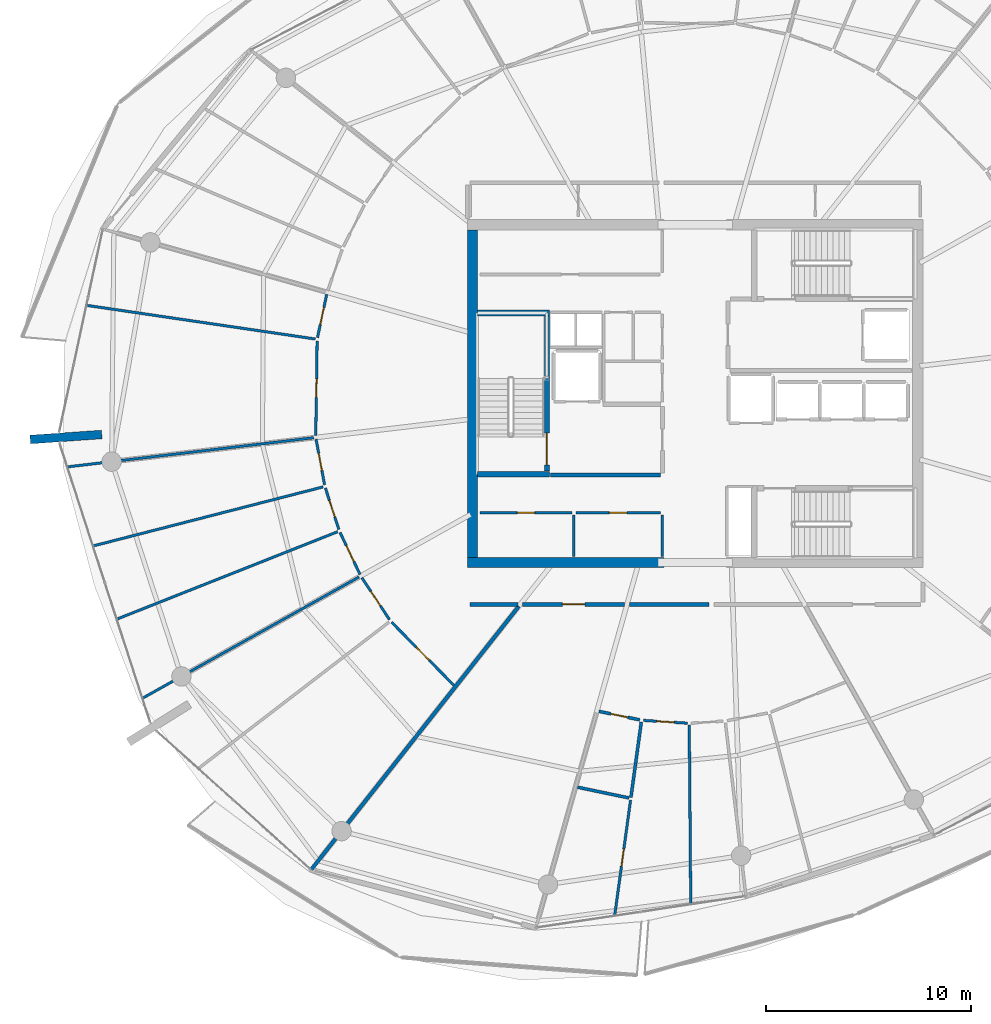
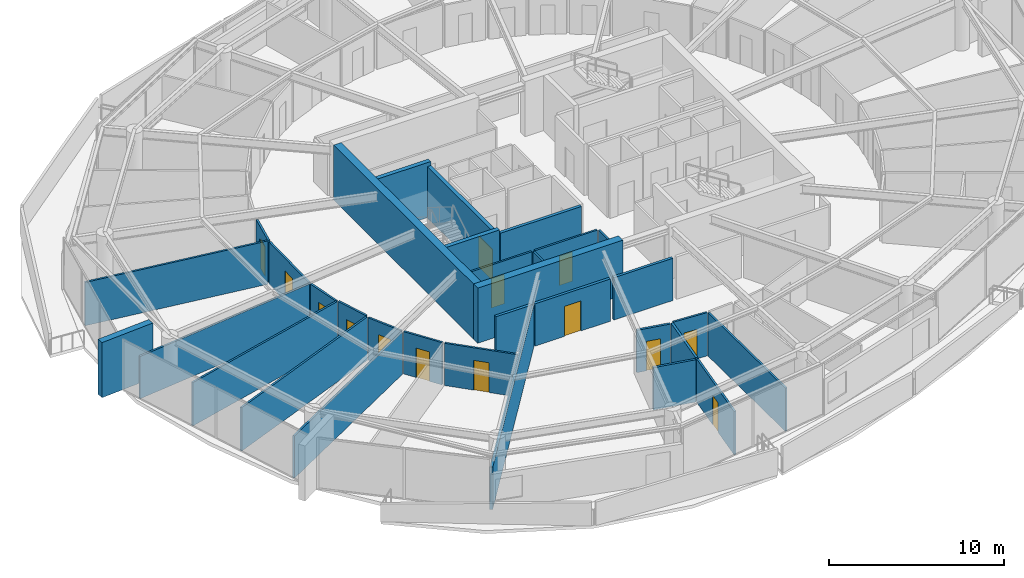
# One storey, part 18 of 30: 33 walls, 14 doors, 14 openings.
"""IFC4 building model written with IfcOpenShell, lengths in metres."""

from ifc_helpers import new_model, si_unit, direction, frame, frame_2d, origin, place, context, subcontext, project, spatial, rectangle, extrude, material, layer, layer_set, type_object, element, fill, save


model = new_model("IFC4")

# Units and contexts
model_context = context("Model", 3, precision=1e-05, world=origin(), true_north=direction((0.0, 1.0)))
body_context = subcontext(model_context, "Body", "Model", "MODEL_VIEW")
ifc_project = project(units=[si_unit("LENGTHUNIT", "METRE"), si_unit("AREAUNIT", "SQUARE_METRE"), si_unit("VOLUMEUNIT", "CUBIC_METRE"), si_unit("PLANEANGLEUNIT", "RADIAN"), si_unit("MASSUNIT", "GRAM", prefix="KILO")], contexts=[model_context])

# Site, building, storey
site_placement = place(None, origin())
site = spatial("IfcSite", under=ifc_project, at=site_placement, CompositionType="ELEMENT")
building_placement = place(site_placement, origin())
building = spatial("IfcBuilding", under=site, at=building_placement, Name="Kazma Halo Residences", CompositionType="ELEMENT")
storey_placement = place(building_placement, frame((0.0, 0.0, 298.300048828125)))
storey = spatial("IfcBuildingStorey", under=building, at=storey_placement, Name="L75", CompositionType="ELEMENT", Elevation=298.300048828125)

# Walls
ifc_material_1 = material(Name="Pale Concrete C60/75", Category="concrete")
ifc_layer_1 = layer(ifc_material_1, 0.419921875)
ifc_layer_set_1 = layer_set([ifc_layer_1], Name="Pale Concrete C60/75")
wall_type_1 = type_object("IfcWallType", Name="WL-BLADE-420", PredefinedType="SOLIDWALL", material=ifc_layer_set_1)
wall_1_placement = place(storey_placement, frame((19.4375, 40.002685546875, 0.0), z_axis=(0.0, 0.0, 1.0), x_axis=(-0.997563824095, -0.069759707979, 0.0)))
element("IfcWall", 1, at=wall_1_placement, inside=storey, type_object=wall_type_1, Name="L75 pale concrete structural blade fin wall BW-02", PredefinedType="SOLIDWALL", context=body_context, shape_type="SweptSolid", body=[
    extrude(rectangle(XDim=3.499755859375, YDim=0.419921875, at=frame_2d((1.75, 0.0))), origin(), (0.0, 0.0, 1.0), 3.849853515625),
])
ifc_material_2 = material(Name="Concrete C60/75", Category="concrete")
ifc_layer_2 = layer(ifc_material_2, 0.5)
ifc_layer_set_2 = layer_set([ifc_layer_2], Name="Concrete C60/75")
wall_type_2 = type_object("IfcWallType", Name="WL-CORE-500", PredefinedType="SHEAR", material=ifc_layer_set_2)
wall_2_placement = place(storey_placement, frame((37.300048828125, 33.75, 0.0), z_axis=(0.0, 0.0, 1.0), x_axis=(1.0, 0.0, 0.0)))
element("IfcWall", 2, at=wall_2_placement, inside=storey, type_object=wall_type_2, Name="L75 central core shear wall SW", PredefinedType="SHEAR", context=body_context, shape_type="SweptSolid", body=[
    extrude(rectangle(XDim=9.599853515625, YDim=0.5, at=frame_2d((4.7998046875, 0.0))), origin(), (0.0, 0.0, 1.0), 3.849853515625),
])
wall_3_placement = place(storey_placement, frame((37.550048828125, 34.0, 0.0), z_axis=(0.0, 0.0, 1.0), x_axis=(0.0, 1.0, 0.0)))
element("IfcWall", 3, at=wall_3_placement, inside=storey, type_object=wall_type_2, Name="L75 central core shear wall W", PredefinedType="SHEAR", context=body_context, shape_type="SweptSolid", body=[
    extrude(rectangle(XDim=16.0, YDim=0.5, at=frame_2d((8.0, 0.0))), origin(), (0.0, 0.0, 1.0), 3.849853515625),
])
ifc_layer_3 = layer(ifc_material_2, 0.280029296875)
ifc_layer_set_3 = layer_set([ifc_layer_3], Name="Concrete C60/75")
wall_type_3 = type_object("IfcWallType", Name="WL-CORE-ST-280", PredefinedType="SHEAR", material=ifc_layer_set_3)
for number, where, z_axis, x_axis, name in (
    (4, (37.800048828125, 38.06005859375, 0.0), (0.0, 0.0, 1.0), (1.0, 0.0, 0.0), "L75 stairwell bearing wall ST01-S"),
    (5, (37.800048828125, 45.93994140625, 0.0), (0.0, 0.0, 1.0), (1.0, 0.0, 0.0), "L75 stairwell bearing wall ST01-N"),
):
    element("IfcWall", number, at=place(storey_placement, frame(where, z_axis=z_axis, x_axis=x_axis)), inside=storey, type_object=wall_type_3, Name=name, PredefinedType="SHEAR", context=body_context, shape_type="SweptSolid", body=[
        extrude(rectangle(XDim=3.5, YDim=0.280029296875, at=frame_2d((1.75, 0.0))), origin(), (0.0, 0.0, 1.0), 3.849853515625),
    ])
ifc_material_3 = material(Name="Acoustic Twin-Stud Gypsum")
ifc_layer_4 = layer(ifc_material_3, 0.179931640625)
ifc_layer_set_4 = layer_set([ifc_layer_4], Name="Acoustic Twin-Stud Gypsum")
wall_type_4 = type_object("IfcWallType", Name="WL-DEM-180", PredefinedType="PARTITIONING", material=ifc_layer_set_4)
wall_4_placement = place(storey_placement, frame((39.81201171875, 31.613525390625, 0.0), z_axis=(0.0, 0.0, 1.0), x_axis=(-0.619097230176, -0.785314344443, 0.0)))
element("IfcWall", 6, at=wall_4_placement, inside=storey, type_object=wall_type_4, Name="L75 apartment demising radial wall 09", PredefinedType="PARTITIONING", context=body_context, shape_type="SweptSolid", body=[
    extrude(rectangle(XDim=16.369873046875, YDim=0.179931640625, at=frame_2d((8.18505859375, 0.0))), origin(), (0.0, 0.0, 1.0), 2.95703125),
])

# Wall, opening, door
wall_5_placement = place(storey_placement, frame((40.0, 31.699951171875, 0.0), z_axis=(0.0, 0.0, 1.0), x_axis=(1.0, 0.0, 0.0)))
wall_5 = element("IfcWall", 7, at=wall_5_placement, inside=storey, type_object=wall_type_4, Name="L75 Apartment 1 entrance corridor wall", PredefinedType="PARTITIONING", context=body_context, shape_type="SweptSolid", body=[
    extrude(rectangle(XDim=4.97509765625, YDim=0.179931640625, at=frame_2d((2.487548828125, 0.0))), origin(), (0.0, 0.0, 1.0), 2.95703125),
])
opening_1_placement = place(wall_5_placement, frame((1.9375, 0.0, 0.0)))
opening_1 = element("IfcOpeningElement", 8, at=opening_1_placement, cuts=wall_5, Name="Opening DA-1100", PredefinedType="OPENING", context=body_context, shape_type="SweptSolid", body=[
    extrude(rectangle(XDim=1.10009765625, YDim=2.10009765625, at=frame_2d((0.550048828125, 1.050048828125))), frame((0.0, 0.099853515625, 0.0), z_axis=(0.0, -1.0, 0.0), x_axis=(1.0, 0.0, 0.0)), (0.0, 0.0, 1.0), 0.199951171875),
])
ifc_material_4 = material(Name="Acoustic Walnut Fire Leaf")
door_type_1 = type_object("IfcDoorType", Name="DR-FD60-1100", OperationType="NOTDEFINED", PredefinedType="DOOR", material=ifc_material_4)
door_1_placement = place(opening_1_placement, origin())
door_1 = element("IfcDoor", 9, at=door_1_placement, inside=storey, type_object=door_type_1, Name="L75 Apartment 1 entrance fire door", OperationType="SINGLE_SWING_LEFT", OverallHeight=2.10009765625, OverallWidth=1.10009765625, PredefinedType="DOOR", context=body_context, shape_type="SweptSolid", body=[
    extrude(rectangle(XDim=1.10009765625, YDim=2.10009765625, at=frame_2d((0.550048828125, 1.050048828125))), frame((0.0, 0.02490234375, 0.0), z_axis=(0.0, -1.0, 0.0), x_axis=(1.0, 0.0, 0.0)), (0.0, 0.0, 1.0), 0.050048828125),
])
fill(opening_1, door_1)

# Walls
wall_6_placement = place(storey_placement, frame((45.215087890625, 31.699951171875, 0.0), z_axis=(0.0, 0.0, 1.0), x_axis=(1.0, 0.0, 0.0)))
element("IfcWall", 10, at=wall_6_placement, inside=storey, type_object=wall_type_4, Name="L75 Apartment 1 inner wall 10", PredefinedType="PARTITIONING", context=body_context, shape_type="SweptSolid", body=[
    extrude(rectangle(XDim=3.884033203125, YDim=0.179931640625, at=frame_2d((1.94189453125, 0.0))), origin(), (0.0, 0.0, 1.0), 2.95703125),
])
wall_7_placement = place(storey_placement, frame((37.419921875, 31.699951171875, 0.0), z_axis=(0.0, 0.0, 1.0), x_axis=(1.0, 0.0, 0.0)))
element("IfcWall", 11, at=wall_7_placement, inside=storey, type_object=wall_type_4, Name="L75 Apartment 2 inner wall 8", PredefinedType="PARTITIONING", context=body_context, shape_type="SweptSolid", body=[
    extrude(rectangle(XDim=2.340087890625, YDim=0.179931640625, at=frame_2d((1.169921875, 0.0))), origin(), (0.0, 0.0, 1.0), 2.95703125),
])
ifc_material_5 = material(Name="Fire-Rated Blockwork Masonry", Category="masonry")
ifc_layer_5 = layer(ifc_material_5, 0.199951171875)
ifc_layer_set_5 = layer_set([ifc_layer_5], Name="Fire-Rated Blockwork Masonry")
wall_type_5 = type_object("IfcWallType", Name="WL-FLB-200", PredefinedType="PARTITIONING", material=ifc_layer_set_5)
wall_8_placement = place(storey_placement, frame((41.35009765625, 38.02001953125, 0.0), z_axis=(0.0, 0.0, 1.0), x_axis=(1.0, 0.0, 0.0)))
element("IfcWall", 12, at=wall_8_placement, inside=storey, type_object=wall_type_5, Name="L75 west firefighting lobby south smoke wall", PredefinedType="PARTITIONING", context=body_context, shape_type="SweptSolid", body=[
    extrude(rectangle(XDim=5.369873046875, YDim=0.199951171875, at=frame_2d((2.68505859375, 0.0))), origin(), (0.0, 0.0, 1.0), 3.58984375),
])
ifc_material_6 = material(Name="Gypsum Plasterboard Partition")
ifc_layer_6 = layer(ifc_material_6, 0.125)
ifc_layer_set_6 = layer_set([ifc_layer_6], Name="Gypsum Plasterboard Partition")
wall_type_6 = type_object("IfcWallType", Name="WL-PART-125", PredefinedType="PARTITIONING", material=ifc_layer_set_6)
for number, where, z_axis, x_axis, name in (
    (13, (46.820068359375, 34.050048828125, 0.0), (0.0, 0.0, 1.0), (0.0, 1.0, 0.0), "L75 reclaimed south east wall"),
    (14, (42.5, 34.050048828125, 0.0), (0.0, 0.0, 1.0), (0.0, 1.0, 0.0), "L75 reclaimed south divider wall"),
):
    element("IfcWall", number, at=place(storey_placement, frame(where, z_axis=z_axis, x_axis=x_axis)), inside=storey, type_object=wall_type_6, Name=name, PredefinedType="PARTITIONING", context=body_context, shape_type="SweptSolid", body=[
        extrude(rectangle(XDim=2.030029296875, YDim=0.125, at=frame_2d((1.01513671875, 0.0))), origin(), (0.0, 0.0, 1.0), 3.030029296875),
    ])

# Wall, opening, door
wall_9_placement = place(storey_placement, frame((37.919921875, 36.179931640625, 0.0), z_axis=(0.0, 0.0, 1.0), x_axis=(1.0, 0.0, 0.0)))
wall_9 = element("IfcWall", 15, at=wall_9_placement, inside=storey, type_object=wall_type_6, Name="L75 reclaimed south W front wall", PredefinedType="PARTITIONING", context=body_context, shape_type="SweptSolid", body=[
    extrude(rectangle(XDim=4.47998046875, YDim=0.125, at=frame_2d((2.239990234375, 0.0))), origin(), (0.0, 0.0, 1.0), 3.030029296875),
])
opening_2_placement = place(wall_9_placement, frame((1.81494140625, 0.0, 0.0)))
opening_2 = element("IfcOpeningElement", 16, at=opening_2_placement, cuts=wall_9, Name="Opening DS-850", PredefinedType="OPENING", context=body_context, shape_type="SweptSolid", body=[
    extrude(rectangle(XDim=0.85009765625, YDim=2.06005859375, at=frame_2d((0.425048828125, 1.030029296875))), frame((0.0, 0.072509765625, 0.0), z_axis=(0.0, -1.0, 0.0), x_axis=(1.0, 0.0, 0.0)), (0.0, 0.0, 1.0), 0.14501953125),
])
ifc_material_7 = material(Name="Painted Steel Access Leaf", Category="steel")
door_type_2 = type_object("IfcDoorType", Name="DR-SVC-850", OperationType="NOTDEFINED", PredefinedType="DOOR", material=ifc_material_7)
door_2_placement = place(opening_2_placement, origin())
door_2 = element("IfcDoor", 17, at=door_2_placement, inside=storey, type_object=door_type_2, Name="L75 reclaimed south W door", OperationType="SINGLE_SWING_RIGHT", OverallHeight=2.06005859375, OverallWidth=0.85009765625, PredefinedType="DOOR", context=body_context, shape_type="SweptSolid", body=[
    extrude(rectangle(XDim=0.85009765625, YDim=2.06005859375, at=frame_2d((0.425048828125, 1.030029296875))), frame((0.0, 0.02490234375, 0.0), z_axis=(0.0, -1.0, 0.0), x_axis=(1.0, 0.0, 0.0)), (0.0, 0.0, 1.0), 0.050048828125),
])
fill(opening_2, door_2)

wall_10_placement = place(storey_placement, frame((42.60009765625, 36.179931640625, 0.0), z_axis=(0.0, 0.0, 1.0), x_axis=(1.0, 0.0, 0.0)))
wall_10 = element("IfcWall", 18, at=wall_10_placement, inside=storey, type_object=wall_type_6, Name="L75 reclaimed south E front wall", PredefinedType="PARTITIONING", context=body_context, shape_type="SweptSolid", body=[
    extrude(rectangle(XDim=4.119873046875, YDim=0.125, at=frame_2d((2.06005859375, 0.0))), origin(), (0.0, 0.0, 1.0), 3.030029296875),
])
opening_3_placement = place(wall_10_placement, frame((1.635009765625, 0.0, 0.0)))
opening_3 = element("IfcOpeningElement", 19, at=opening_3_placement, cuts=wall_10, Name="Opening DS-850", PredefinedType="OPENING", context=body_context, shape_type="SweptSolid", body=[
    extrude(rectangle(XDim=0.85009765625, YDim=2.06005859375, at=frame_2d((0.425048828125, 1.030029296875))), frame((0.0, 0.072509765625, 0.0), z_axis=(0.0, -1.0, 0.0), x_axis=(1.0, 0.0, 0.0)), (0.0, 0.0, 1.0), 0.14501953125),
])
door_3_placement = place(opening_3_placement, origin())
door_3 = element("IfcDoor", 20, at=door_3_placement, inside=storey, type_object=door_type_2, Name="L75 reclaimed south E door", OperationType="SINGLE_SWING_LEFT", OverallHeight=2.06005859375, OverallWidth=0.85009765625, PredefinedType="DOOR", context=body_context, shape_type="SweptSolid", body=[
    extrude(rectangle(XDim=0.85009765625, YDim=2.06005859375, at=frame_2d((0.425048828125, 1.030029296875))), frame((0.0, 0.02490234375, 0.0), z_axis=(0.0, -1.0, 0.0), x_axis=(1.0, 0.0, 0.0)), (0.0, 0.0, 1.0), 0.050048828125),
])
fill(opening_3, door_3)

wall_11_placement = place(storey_placement, frame((45.26904296875, 22.140869140625, 0.0), z_axis=(0.0, 0.0, 1.0), x_axis=(-0.136209906248, -0.990679999515, 0.0)))
wall_11 = element("IfcWall", 21, at=wall_11_placement, inside=storey, type_object=wall_type_6, Name="L75 Apartment 1 Utility Laundry Room partition wall", PredefinedType="PARTITIONING", context=body_context, shape_type="SweptSolid", body=[
    extrude(rectangle(XDim=5.681884765625, YDim=0.125, at=frame_2d((2.8408203125, 0.0))), origin(), (0.0, 0.0, 1.0), 3.030029296875),
])
opening_4_placement = place(wall_11_placement, frame((2.416015625, 0.0, 0.0)))
opening_4 = element("IfcOpeningElement", 22, at=opening_4_placement, cuts=wall_11, Name="Opening DB-900", PredefinedType="OPENING", context=body_context, shape_type="SweptSolid", body=[
    extrude(rectangle(XDim=0.85009765625, YDim=2.06005859375, at=frame_2d((0.425048828125, 1.030029296875))), frame((0.0, 0.072509765625, 0.0), z_axis=(0.0, -1.0, 0.0), x_axis=(1.0, 0.0, 0.0)), (0.0, 0.0, 1.0), 0.14501953125),
])
ifc_material_8 = material(Name="Moisture-Sealed Timber Leaf", Category="wood")
door_type_3 = type_object("IfcDoorType", Name="DR-BTH-900", OperationType="NOTDEFINED", PredefinedType="DOOR", material=ifc_material_8)
door_4_placement = place(opening_4_placement, origin())
door_4 = element("IfcDoor", 23, at=door_4_placement, inside=storey, type_object=door_type_3, Name="L75 Apartment 1 Utility Laundry Room door", OperationType="SINGLE_SWING_LEFT", OverallHeight=2.06005859375, OverallWidth=0.85009765625, PredefinedType="DOOR", context=body_context, shape_type="SweptSolid", body=[
    extrude(rectangle(XDim=0.85009765625, YDim=2.06005859375, at=frame_2d((0.425048828125, 1.030029296875))), frame((0.0, 0.02490234375, 0.0), z_axis=(0.0, -1.0, 0.0), x_axis=(1.0, 0.0, 0.0)), (0.0, 0.0, 1.0), 0.050048828125),
])
fill(opening_4, door_4)

# Wall
wall_12_placement = place(storey_placement, frame((48.135986328125, 25.8046875, 0.0), z_axis=(0.0, 0.0, 1.0), x_axis=(0.008358200711, -0.99996506963, 0.0)))
element("IfcWall", 24, at=wall_12_placement, inside=storey, type_object=wall_type_6, Name="L75 Apartment 1 suite divider 10", PredefinedType="PARTITIONING", context=body_context, shape_type="SweptSolid", body=[
    extrude(rectangle(XDim=8.733642578125, YDim=0.125, at=frame_2d((4.36669921875, 0.0))), origin(), (0.0, 0.0, 1.0), 3.030029296875),
])

# Wall, opening, door
wall_13_placement = place(storey_placement, frame((45.8955078125, 26.038330078125, 0.0), z_axis=(0.0, 0.0, 1.0), x_axis=(0.997945365671, -0.064070641766, 0.0)))
wall_13 = element("IfcWall", 25, at=wall_13_placement, inside=storey, type_object=wall_type_6, Name="L75 Apartment 1 Gourmet Kitchen hall wall", PredefinedType="PARTITIONING", context=body_context, shape_type="SweptSolid", body=[
    extrude(rectangle(XDim=2.164306640625, YDim=0.125, at=frame_2d((1.08203125, 0.0))), origin(), (0.0, 0.0, 1.0), 3.030029296875),
])
opening_5_placement = place(wall_13_placement, frame((0.656982421875, 0.0, 0.0)))
opening_5 = element("IfcOpeningElement", 26, at=opening_5_placement, cuts=wall_13, Name="Opening DB-900", PredefinedType="OPENING", context=body_context, shape_type="SweptSolid", body=[
    extrude(rectangle(XDim=0.85009765625, YDim=2.06005859375, at=frame_2d((0.425048828125, 1.030029296875))), frame((0.0, 0.072509765625, 0.0), z_axis=(0.0, -1.0, 0.0), x_axis=(1.0, 0.0, 0.0)), (0.0, 0.0, 1.0), 0.14501953125),
])
door_5_placement = place(opening_5_placement, origin())
door_5 = element("IfcDoor", 27, at=door_5_placement, inside=storey, type_object=door_type_3, Name="L75 Apartment 1 Gourmet Kitchen door", OperationType="SINGLE_SWING_RIGHT", OverallHeight=2.06005859375, OverallWidth=0.85009765625, PredefinedType="DOOR", context=body_context, shape_type="SweptSolid", body=[
    extrude(rectangle(XDim=0.85009765625, YDim=2.06005859375, at=frame_2d((0.425048828125, 1.030029296875))), frame((0.0, 0.02490234375, 0.0), z_axis=(0.0, -1.0, 0.0), x_axis=(1.0, 0.0, 0.0)), (0.0, 0.0, 1.0), 0.050048828125),
])
fill(opening_5, door_5)

# Wall
wall_14_placement = place(storey_placement, frame((29.869140625, 44.66748046875, 0.0), z_axis=(0.0, 0.0, 1.0), x_axis=(-0.989345560315, 0.145586270938, 0.0)))
element("IfcWall", 28, at=wall_14_placement, inside=storey, type_object=wall_type_6, Name="L75 Apartment 2 mid-bay wall 6", PredefinedType="PARTITIONING", context=body_context, shape_type="SweptSolid", body=[
    extrude(rectangle(XDim=11.2724609375, YDim=0.125, at=frame_2d((5.63623046875, 0.0))), origin(), (0.0, 0.0, 1.0), 3.030029296875),
])

# Wall, opening, door
wall_15_placement = place(storey_placement, frame((30.427734375, 46.852294921875, 0.0), z_axis=(0.0, 0.0, 1.0), x_axis=(-0.208944429957, -0.977927515305, 0.0)))
wall_15 = element("IfcWall", 29, at=wall_15_placement, inside=storey, type_object=wall_type_6, Name="L75 Apartment 2 Corner Wine Pantry Store hall wall", PredefinedType="PARTITIONING", context=body_context, shape_type="SweptSolid", body=[
    extrude(rectangle(XDim=2.16748046875, YDim=0.125, at=frame_2d((1.083740234375, 0.0))), origin(), (0.0, 0.0, 1.0), 2.95703125),
])
opening_6_placement = place(wall_15_placement, frame((0.65869140625, 0.0, 0.0)))
opening_6 = element("IfcOpeningElement", 30, at=opening_6_placement, cuts=wall_15, Name="Opening DB-900", PredefinedType="OPENING", context=body_context, shape_type="SweptSolid", body=[
    extrude(rectangle(XDim=0.85009765625, YDim=2.06005859375, at=frame_2d((0.425048828125, 1.030029296875))), frame((0.0, 0.072509765625, 0.0), z_axis=(0.0, -1.0, 0.0), x_axis=(1.0, 0.0, 0.0)), (0.0, 0.0, 1.0), 0.14501953125),
])
door_6_placement = place(opening_6_placement, origin())
door_6 = element("IfcDoor", 31, at=door_6_placement, inside=storey, type_object=door_type_3, Name="L75 Apartment 2 Corner Wine Pantry Store door", OperationType="SINGLE_SWING_RIGHT", OverallHeight=2.06005859375, OverallWidth=0.85009765625, PredefinedType="DOOR", context=body_context, shape_type="SweptSolid", body=[
    extrude(rectangle(XDim=0.85009765625, YDim=2.06005859375, at=frame_2d((0.425048828125, 1.030029296875))), frame((0.0, 0.02490234375, 0.0), z_axis=(0.0, -1.0, 0.0), x_axis=(1.0, 0.0, 0.0)), (0.0, 0.0, 1.0), 0.050048828125),
])
fill(opening_6, door_6)

wall_16_placement = place(storey_placement, frame((29.95703125, 44.574462890625, 0.0), z_axis=(0.0, 0.0, 1.0), x_axis=(-0.014114375014, -0.999900387248, 0.0)))
wall_16 = element("IfcWall", 32, at=wall_16_placement, inside=storey, type_object=wall_type_6, Name="L75 Apartment 2 Garden Formal Dining Room hall wall", PredefinedType="PARTITIONING", context=body_context, shape_type="SweptSolid", body=[
    extrude(rectangle(XDim=4.618408203125, YDim=0.125, at=frame_2d((2.30908203125, 0.0))), origin(), (0.0, 0.0, 1.0), 2.95703125),
])
opening_7_placement = place(wall_16_placement, frame((1.859130859375, 0.0, 0.0)))
opening_7 = element("IfcOpeningElement", 33, at=opening_7_placement, cuts=wall_16, Name="Opening DI-950", PredefinedType="OPENING", context=body_context, shape_type="SweptSolid", body=[
    extrude(rectangle(XDim=0.89990234375, YDim=2.080078125, at=frame_2d((0.449951171875, 1.0400390625))), frame((0.0, 0.072509765625, 0.0), z_axis=(0.0, -1.0, 0.0), x_axis=(1.0, 0.0, 0.0)), (0.0, 0.0, 1.0), 0.14501953125),
])
ifc_material_9 = material(Name="Timber Veneer Flush Leaf", Category="wood")
door_type_4 = type_object("IfcDoorType", Name="DR-INT-950", OperationType="NOTDEFINED", PredefinedType="DOOR", material=ifc_material_9)
door_7_placement = place(opening_7_placement, origin())
door_7 = element("IfcDoor", 34, at=door_7_placement, inside=storey, type_object=door_type_4, Name="L75 Apartment 2 Garden Formal Dining Room door", OperationType="SINGLE_SWING_LEFT", OverallHeight=2.080078125, OverallWidth=0.89990234375, PredefinedType="DOOR", context=body_context, shape_type="SweptSolid", body=[
    extrude(rectangle(XDim=0.89990234375, YDim=2.080078125, at=frame_2d((0.449951171875, 1.0400390625))), frame((0.0, 0.02490234375, 0.0), z_axis=(0.0, -1.0, 0.0), x_axis=(1.0, 0.0, 0.0)), (0.0, 0.0, 1.0), 0.050048828125),
])
fill(opening_7, door_7)

# Walls
wall_17_placement = place(storey_placement, frame((29.791015625, 39.8447265625, 0.0), z_axis=(0.0, 0.0, 1.0), x_axis=(-0.993069062241, -0.117532283306, 0.0)))
element("IfcWall", 35, at=wall_17_placement, inside=storey, type_object=wall_type_6, Name="L75 Apartment 2 radial partition 7", PredefinedType="PARTITIONING", context=body_context, shape_type="SweptSolid", body=[
    extrude(rectangle(XDim=12.093505859375, YDim=0.125, at=frame_2d((6.046875, 0.0))), origin(), (0.0, 0.0, 1.0), 2.95703125),
])
for number, where, z_axis, x_axis, name in (
    (36, (30.249755859375, 37.4423828125, 0.0), (0.0, 0.0, 1.0), (-0.968584853299, -0.248683296503, 0.0), "L75 Apartment 2 bay wall 1 7"),
    (37, (30.9609375, 35.25390625, 0.0), (0.0, 0.0, 1.0), (-0.929771128666, -0.368138083195, 0.0), "L75 Apartment 2 bay wall 2 7"),
):
    element("IfcWall", number, at=place(storey_placement, frame(where, z_axis=z_axis, x_axis=x_axis)), inside=storey, type_object=wall_type_6, Name=name, PredefinedType="PARTITIONING", context=body_context, shape_type="SweptSolid", body=[
        extrude(rectangle(XDim=11.57763671875, YDim=0.125, at=frame_2d((5.788818359375, 0.0))), origin(), (0.0, 0.0, 1.0), 3.030029296875),
    ])

# Wall, opening, door
wall_18_placement = place(storey_placement, frame((29.905029296875, 39.778076171875, 0.0), z_axis=(0.0, 0.0, 1.0), x_axis=(0.183542776788, -0.98301172378, 0.0)))
wall_18 = element("IfcWall", 38, at=wall_18_placement, inside=storey, type_object=wall_type_6, Name="L75 Apartment 2 Sky Master Bedroom hall wall", PredefinedType="PARTITIONING", context=body_context, shape_type="SweptSolid", body=[
    extrude(rectangle(XDim=2.273193359375, YDim=0.125, at=frame_2d((1.13671875, 0.0))), origin(), (0.0, 0.0, 1.0), 2.95703125),
])
opening_8_placement = place(wall_18_placement, frame((0.71142578125, 0.0, 0.0)))
opening_8 = element("IfcOpeningElement", 39, at=opening_8_placement, cuts=wall_18, Name="Opening DB-900", PredefinedType="OPENING", context=body_context, shape_type="SweptSolid", body=[
    extrude(rectangle(XDim=0.85009765625, YDim=2.06005859375, at=frame_2d((0.425048828125, 1.030029296875))), frame((0.0, 0.072509765625, 0.0), z_axis=(0.0, -1.0, 0.0), x_axis=(1.0, 0.0, 0.0)), (0.0, 0.0, 1.0), 0.14501953125),
])
door_8_placement = place(opening_8_placement, origin())
door_8 = element("IfcDoor", 40, at=door_8_placement, inside=storey, type_object=door_type_3, Name="L75 Apartment 2 Sky Master Bedroom door", OperationType="SINGLE_SWING_RIGHT", OverallHeight=2.06005859375, OverallWidth=0.85009765625, PredefinedType="DOOR", context=body_context, shape_type="SweptSolid", body=[
    extrude(rectangle(XDim=0.85009765625, YDim=2.06005859375, at=frame_2d((0.425048828125, 1.030029296875))), frame((0.0, 0.02490234375, 0.0), z_axis=(0.0, -1.0, 0.0), x_axis=(1.0, 0.0, 0.0)), (0.0, 0.0, 1.0), 0.050048828125),
])
fill(opening_8, door_8)

wall_19_placement = place(storey_placement, frame((30.361572265625, 37.388916015625, 0.0), z_axis=(0.0, 0.0, 1.0), x_axis=(0.309101621342, -0.951029015164, 0.0)))
wall_19 = element("IfcWall", 41, at=wall_19_placement, inside=storey, type_object=wall_type_6, Name="L75 Apartment 2 Gulf Dressing Wardrobe hall wall", PredefinedType="PARTITIONING", context=body_context, shape_type="SweptSolid", body=[
    extrude(rectangle(XDim=2.130126953125, YDim=0.125, at=frame_2d((1.06494140625, 0.0))), origin(), (0.0, 0.0, 1.0), 3.030029296875),
])
opening_9_placement = place(wall_19_placement, frame((0.639892578125, 0.0, 0.0)))
opening_9 = element("IfcOpeningElement", 42, at=opening_9_placement, cuts=wall_19, Name="Opening DB-900", PredefinedType="OPENING", context=body_context, shape_type="SweptSolid", body=[
    extrude(rectangle(XDim=0.85009765625, YDim=2.06005859375, at=frame_2d((0.425048828125, 1.030029296875))), frame((0.0, 0.072509765625, 0.0), z_axis=(0.0, -1.0, 0.0), x_axis=(1.0, 0.0, 0.0)), (0.0, 0.0, 1.0), 0.14501953125),
])
door_9_placement = place(opening_9_placement, origin())
door_9 = element("IfcDoor", 43, at=door_9_placement, inside=storey, type_object=door_type_3, Name="L75 Apartment 2 Gulf Dressing Wardrobe door", OperationType="SINGLE_SWING_LEFT", OverallHeight=2.06005859375, OverallWidth=0.85009765625, PredefinedType="DOOR", context=body_context, shape_type="SweptSolid", body=[
    extrude(rectangle(XDim=0.85009765625, YDim=2.06005859375, at=frame_2d((0.425048828125, 1.030029296875))), frame((0.0, 0.02490234375, 0.0), z_axis=(0.0, -1.0, 0.0), x_axis=(1.0, 0.0, 0.0)), (0.0, 0.0, 1.0), 0.050048828125),
])
fill(opening_9, door_9)

wall_20_placement = place(storey_placement, frame((31.078857421875, 35.214599609375, 0.0), z_axis=(0.0, 0.0, 1.0), x_axis=(0.429424853731, -0.903102593839, 0.0)))
wall_20 = element("IfcWall", 44, at=wall_20_placement, inside=storey, type_object=wall_type_6, Name="L75 Apartment 2 Primary Master Bedroom hall wall", PredefinedType="PARTITIONING", context=body_context, shape_type="SweptSolid", body=[
    extrude(rectangle(XDim=2.27294921875, YDim=0.125, at=frame_2d((1.136474609375, 0.0))), origin(), (0.0, 0.0, 1.0), 2.95703125),
])
opening_10_placement = place(wall_20_placement, frame((0.71142578125, 0.0, 0.0)))
opening_10 = element("IfcOpeningElement", 45, at=opening_10_placement, cuts=wall_20, Name="Opening DB-900", PredefinedType="OPENING", context=body_context, shape_type="SweptSolid", body=[
    extrude(rectangle(XDim=0.85009765625, YDim=2.06005859375, at=frame_2d((0.425048828125, 1.030029296875))), frame((0.0, 0.072509765625, 0.0), z_axis=(0.0, -1.0, 0.0), x_axis=(1.0, 0.0, 0.0)), (0.0, 0.0, 1.0), 0.14501953125),
])
door_10_placement = place(opening_10_placement, origin())
door_10 = element("IfcDoor", 46, at=door_10_placement, inside=storey, type_object=door_type_3, Name="L75 Apartment 2 Primary Master Bedroom door", OperationType="SINGLE_SWING_RIGHT", OverallHeight=2.06005859375, OverallWidth=0.85009765625, PredefinedType="DOOR", context=body_context, shape_type="SweptSolid", body=[
    extrude(rectangle(XDim=0.85009765625, YDim=2.06005859375, at=frame_2d((0.425048828125, 1.030029296875))), frame((0.0, 0.02490234375, 0.0), z_axis=(0.0, -1.0, 0.0), x_axis=(1.0, 0.0, 0.0)), (0.0, 0.0, 1.0), 0.050048828125),
])
fill(opening_10, door_10)

# Wall
wall_21_placement = place(storey_placement, frame((32.001953125, 33.04052734375, 0.0), z_axis=(0.0, 0.0, 1.0), x_axis=(-0.872499131003, -0.488615663276, 0.0)))
element("IfcWall", 47, at=wall_21_placement, inside=storey, type_object=wall_type_6, Name="L75 Apartment 2 radial partition 8", PredefinedType="PARTITIONING", context=body_context, shape_type="SweptSolid", body=[
    extrude(rectangle(XDim=12.09375, YDim=0.125, at=frame_2d((6.046875, 0.0))), origin(), (0.0, 0.0, 1.0), 2.95703125),
])

# Wall, opening, door
wall_22_placement = place(storey_placement, frame((32.144287109375, 33.006103515625, 0.0), z_axis=(0.0, 0.0, 1.0), x_axis=(0.550305477067, -0.83496340154, 0.0)))
wall_22 = element("IfcWall", 48, at=wall_22_placement, inside=storey, type_object=wall_type_6, Name="L75 Apartment 2 Secondary Wine Pantry Store hall wall", PredefinedType="PARTITIONING", context=body_context, shape_type="SweptSolid", body=[
    extrude(rectangle(XDim=2.452880859375, YDim=0.125, at=frame_2d((1.2265625, 0.0))), origin(), (0.0, 0.0, 1.0), 2.95703125),
])
opening_11_placement = place(wall_22_placement, frame((0.801513671875, 0.0, 0.0)))
opening_11 = element("IfcOpeningElement", 49, at=opening_11_placement, cuts=wall_22, Name="Opening DB-900", PredefinedType="OPENING", context=body_context, shape_type="SweptSolid", body=[
    extrude(rectangle(XDim=0.85009765625, YDim=2.06005859375, at=frame_2d((0.425048828125, 1.030029296875))), frame((0.0, 0.072509765625, 0.0), z_axis=(0.0, -1.0, 0.0), x_axis=(1.0, 0.0, 0.0)), (0.0, 0.0, 1.0), 0.14501953125),
])
door_11_placement = place(opening_11_placement, origin())
door_11 = element("IfcDoor", 50, at=door_11_placement, inside=storey, type_object=door_type_3, Name="L75 Apartment 2 Secondary Wine Pantry Store door", OperationType="SINGLE_SWING_RIGHT", OverallHeight=2.06005859375, OverallWidth=0.85009765625, PredefinedType="DOOR", context=body_context, shape_type="SweptSolid", body=[
    extrude(rectangle(XDim=0.85009765625, YDim=2.06005859375, at=frame_2d((0.425048828125, 1.030029296875))), frame((0.0, 0.02490234375, 0.0), z_axis=(0.0, -1.0, 0.0), x_axis=(1.0, 0.0, 0.0)), (0.0, 0.0, 1.0), 0.050048828125),
])
fill(opening_11, door_11)

wall_23_placement = place(storey_placement, frame((33.594482421875, 30.834228515625, 0.0), z_axis=(0.0, 0.0, 1.0), x_axis=(0.702642820289, -0.711542737365, 0.0)))
wall_23 = element("IfcWall", 51, at=wall_23_placement, inside=storey, type_object=wall_type_6, Name="L75 Apartment 2 East Formal Dining Room hall wall", PredefinedType="PARTITIONING", context=body_context, shape_type="SweptSolid", body=[
    extrude(rectangle(XDim=4.334228515625, YDim=0.125, at=frame_2d((2.1669921875, 0.0))), origin(), (0.0, 0.0, 1.0), 2.95703125),
])
opening_12_placement = place(wall_23_placement, frame((1.717041015625, 0.0, 0.0)))
opening_12 = element("IfcOpeningElement", 52, at=opening_12_placement, cuts=wall_23, Name="Opening DI-950", PredefinedType="OPENING", context=body_context, shape_type="SweptSolid", body=[
    extrude(rectangle(XDim=0.89990234375, YDim=2.080078125, at=frame_2d((0.449951171875, 1.0400390625))), frame((0.0, 0.072509765625, 0.0), z_axis=(0.0, -1.0, 0.0), x_axis=(1.0, 0.0, 0.0)), (0.0, 0.0, 1.0), 0.14501953125),
])
door_12_placement = place(opening_12_placement, origin())
door_12 = element("IfcDoor", 53, at=door_12_placement, inside=storey, type_object=door_type_4, Name="L75 Apartment 2 East Formal Dining Room door", OperationType="SINGLE_SWING_LEFT", OverallHeight=2.080078125, OverallWidth=0.89990234375, PredefinedType="DOOR", context=body_context, shape_type="SweptSolid", body=[
    extrude(rectangle(XDim=0.89990234375, YDim=2.080078125, at=frame_2d((0.449951171875, 1.0400390625))), frame((0.0, 0.02490234375, 0.0), z_axis=(0.0, -1.0, 0.0), x_axis=(1.0, 0.0, 0.0)), (0.0, 0.0, 1.0), 0.050048828125),
])
fill(opening_12, door_12)

ifc_material_10 = material(Name="Concrete C50/60", Category="concrete")
ifc_layer_7 = layer(ifc_material_10, 0.25)
ifc_layer_set_7 = layer_set([ifc_layer_7], Name="Concrete C50/60")
wall_type_7 = type_object("IfcWallType", Name="WL-SHF-250", PredefinedType="SOLIDWALL", material=ifc_layer_set_7)
wall_24_placement = place(storey_placement, frame((41.179931640625, 38.219970703125, 0.0), z_axis=(0.0, 0.0, 1.0), x_axis=(0.0, 1.0, 0.0)))
wall_24 = element("IfcWall", 54, at=wall_24_placement, inside=storey, type_object=wall_type_7, Name="L75 exit stair ST-01 enclosure wall", PredefinedType="SOLIDWALL", context=body_context, shape_type="SweptSolid", body=[
    extrude(rectangle(XDim=7.56005859375, YDim=0.25, at=frame_2d((3.780029296875, 0.0))), origin(), (0.0, 0.0, 1.0), 3.58984375),
])
opening_13_placement = place(wall_24_placement, frame((0.300048828125, 0.0, 0.0)))
opening_13 = element("IfcOpeningElement", 55, at=opening_13_placement, cuts=wall_24, Name="Opening D-ST1", PredefinedType="OPENING", context=body_context, shape_type="SweptSolid", body=[
    extrude(rectangle(XDim=1.550048828125, YDim=2.14990234375, at=frame_2d((0.77490234375, 1.074951171875))), frame((0.0, 0.135009765625, 0.0), z_axis=(0.0, -1.0, 0.0), x_axis=(1.0, 0.0, 0.0)), (0.0, 0.0, 1.0), 0.27001953125),
])
ifc_material_11 = material(Name="Fire-Rated Double Steel Leaf", Category="steel")
door_type_5 = type_object("IfcDoorType", Name="DR-FD90-1550", OperationType="NOTDEFINED", PredefinedType="DOOR", material=ifc_material_11)
door_13_placement = place(opening_13_placement, origin())
door_13 = element("IfcDoor", 56, at=door_13_placement, inside=storey, type_object=door_type_5, Name="L75 exit stair ST-01 fire door", OperationType="DOUBLE_DOOR_SINGLE_SWING", OverallHeight=2.14990234375, OverallWidth=1.550048828125, PredefinedType="DOOR", context=body_context, shape_type="SweptSolid", body=[
    extrude(rectangle(XDim=1.550048828125, YDim=2.14990234375, at=frame_2d((0.77490234375, 1.074951171875))), frame((0.0, 0.02490234375, 0.0), z_axis=(0.0, -1.0, 0.0), x_axis=(1.0, 0.0, 0.0)), (0.0, 0.0, 1.0), 0.050048828125),
])
fill(opening_13, door_13)

ifc_material_12 = material(Name="Moisture-Resistant Gypsum")
ifc_layer_8 = layer(ifc_material_12, 0.14990234375)
ifc_layer_set_8 = layer_set([ifc_layer_8], Name="Moisture-Resistant Gypsum")
wall_type_8 = type_object("IfcWallType", Name="WL-WET-150", PredefinedType="PARTITIONING", material=ifc_layer_set_8)
wall_25_placement = place(storey_placement, frame((43.72607421875, 26.478271484375, 0.0), z_axis=(0.0, 0.0, 1.0), x_axis=(0.978898482471, -0.204347158084, 0.0)))
wall_25 = element("IfcWall", 57, at=wall_25_placement, inside=storey, type_object=wall_type_8, Name="L75 Apartment 1 Guest Bathroom hall wall", PredefinedType="PARTITIONING", context=body_context, shape_type="SweptSolid", body=[
    extrude(rectangle(XDim=2.03466796875, YDim=0.14990234375, at=frame_2d((1.017333984375, 0.0))), origin(), (0.0, 0.0, 1.0), 2.95703125),
])
opening_14_placement = place(wall_25_placement, frame((0.59228515625, 0.0, 0.0)))
opening_14 = element("IfcOpeningElement", 58, at=opening_14_placement, cuts=wall_25, Name="Opening DB-900", PredefinedType="OPENING", context=body_context, shape_type="SweptSolid", body=[
    extrude(rectangle(XDim=0.85009765625, YDim=2.06005859375, at=frame_2d((0.425048828125, 1.030029296875))), frame((0.0, 0.0849609375, 0.0), z_axis=(0.0, -1.0, 0.0), x_axis=(1.0, 0.0, 0.0)), (0.0, 0.0, 1.0), 0.169921875),
])
door_14_placement = place(opening_14_placement, origin())
door_14 = element("IfcDoor", 59, at=door_14_placement, inside=storey, type_object=door_type_3, Name="L75 Apartment 1 Guest Bathroom door", OperationType="SINGLE_SWING_RIGHT", OverallHeight=2.06005859375, OverallWidth=0.85009765625, PredefinedType="DOOR", context=body_context, shape_type="SweptSolid", body=[
    extrude(rectangle(XDim=0.85009765625, YDim=2.06005859375, at=frame_2d((0.425048828125, 1.030029296875))), frame((0.0, 0.02490234375, 0.0), z_axis=(0.0, -1.0, 0.0), x_axis=(1.0, 0.0, 0.0)), (0.0, 0.0, 1.0), 0.050048828125),
])
fill(opening_14, door_14)

# Walls
wall_26_placement = place(storey_placement, frame((42.680908203125, 22.772705078125, 0.0), z_axis=(0.0, 0.0, 1.0), x_axis=(0.978918641327, -0.204250565882, 0.0)))
element("IfcWall", 60, at=wall_26_placement, inside=storey, type_object=wall_type_8, Name="L75 Apartment 1 Guest Bathroom back wall", PredefinedType="PARTITIONING", context=body_context, shape_type="SweptSolid", body=[
    extrude(rectangle(XDim=2.56640625, YDim=0.14990234375, at=frame_2d((1.283203125, 0.0))), origin(), (0.0, 0.0, 1.0), 2.95703125),
])
wall_27_placement = place(storey_placement, frame((45.79345703125, 25.955078125, 0.0), z_axis=(0.0, 0.0, 1.0), x_axis=(-0.136246520483, -0.990674964686, 0.0)))
element("IfcWall", 61, at=wall_27_placement, inside=storey, type_object=wall_type_8, Name="L75 Apartment 1 Guest Bathroom side wall", PredefinedType="PARTITIONING", context=body_context, shape_type="SweptSolid", body=[
    extrude(rectangle(XDim=3.719970703125, YDim=0.14990234375, at=frame_2d((1.85986328125, 0.0))), origin(), (0.0, 0.0, 1.0), 3.030029296875),
])

save(model, "model.ifc")
